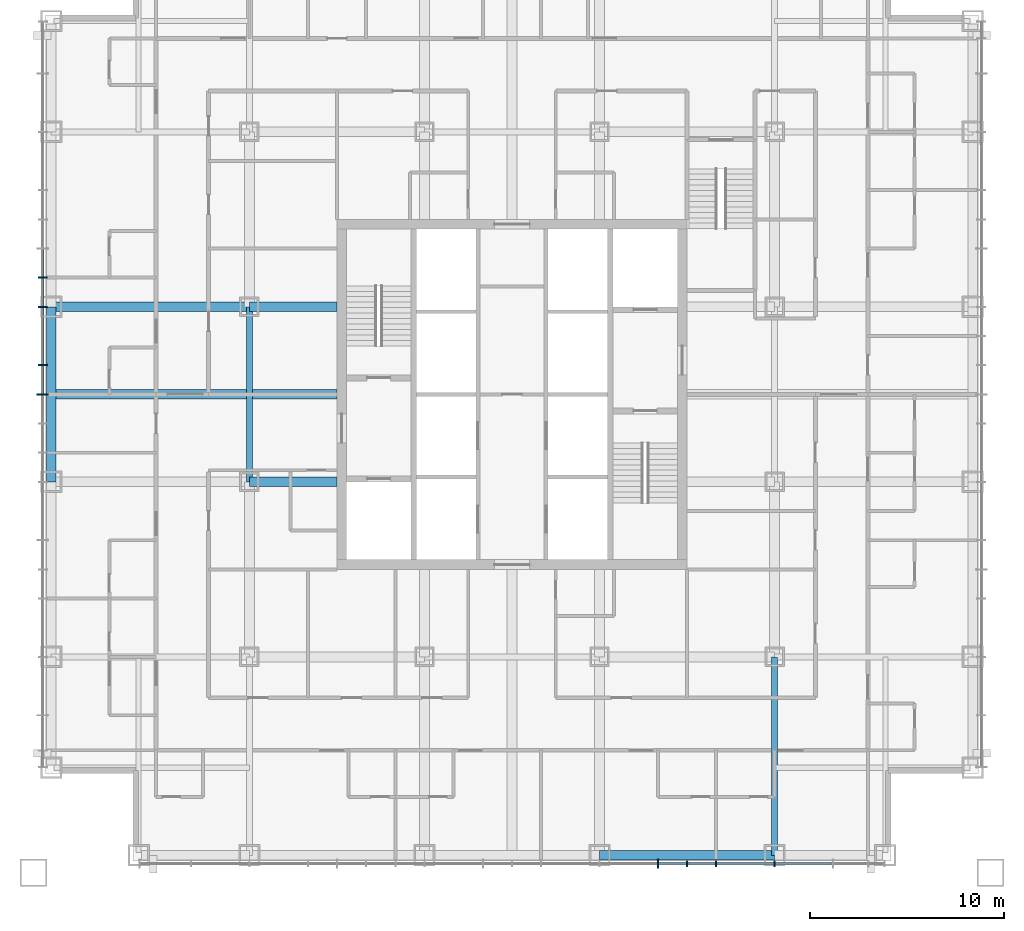
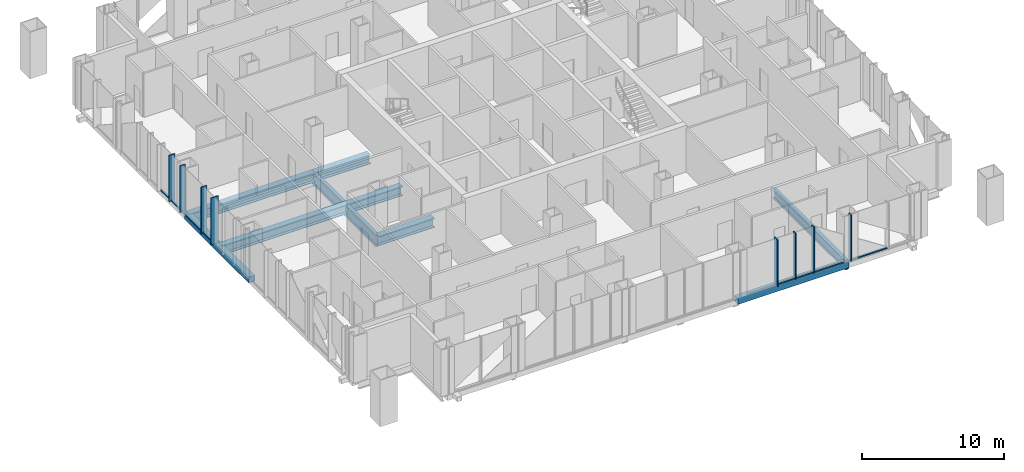
# One storey, part 3 of 16: 16 members, 8 beams, 2 elements without a shape of their own.
"""IFC4 building model written with IfcOpenShell, lengths in metres."""

from ifc_helpers import new_model, si_unit, direction, frame, origin, origin_2d, place, context, subcontext, project, spatial, rectangle, hollow_rectangle, i_section, extrude, material, layer, layer_set, material_profile, profile_set, type_object, element, aggregate, save


model = new_model("IFC4")

# Units and contexts
model_context = context("Model", 3, precision=1e-05, world=origin(), true_north=direction((0.0, 1.0)))
body_context = subcontext(model_context, "Body", "Model", "MODEL_VIEW")
ifc_project = project(units=[si_unit("LENGTHUNIT", "METRE"), si_unit("AREAUNIT", "SQUARE_METRE"), si_unit("VOLUMEUNIT", "CUBIC_METRE"), si_unit("PLANEANGLEUNIT", "RADIAN"), si_unit("MASSUNIT", "GRAM", prefix="KILO")], contexts=[model_context])

# Site, building, storey
site_placement = place(None, origin())
site = spatial("IfcSite", under=ifc_project, at=site_placement, CompositionType="ELEMENT")
building_placement = place(site_placement, origin())
building = spatial("IfcBuilding", under=site, at=building_placement, Name="Malebo Sky Hospital", CompositionType="ELEMENT")
storey_placement = place(building_placement, frame((0.0, 0.0, 144.0)))
storey = spatial("IfcBuildingStorey", under=building, at=storey_placement, Name="L34", CompositionType="ELEMENT", Elevation=144.0)

# Curtain wall, members
ifc_material_1 = material(Name="Anodised aluminium, natural silver", Category="aluminium")
ifc_layer_1 = layer(ifc_material_1, 0.25)
ifc_layer_set_1 = layer_set([ifc_layer_1], Name="WARD CURTAIN WALL EAST AND WEST")
curtain_wall_type_1 = type_object("IfcCurtainWallType", Name="WARD CURTAIN WALL EAST AND WEST", PredefinedType="NOTDEFINED", material=ifc_layer_set_1)
curtain_wall_1_placement = place(storey_placement, origin())
curtain_wall_1 = element("IfcCurtainWall", 1, at=curtain_wall_1_placement, inside=storey, type_object=curtain_wall_type_1, Name="EW curtain wall W", PredefinedType="NOTDEFINED")
ifc_material_profile_1 = material_profile(ifc_material_1, rectangle(XDim=0.14990234375, YDim=0.10009765625, at=origin_2d()), Name="ALUMINIUM TRANSOM 150x100")
ifc_profile_set_1 = profile_set([ifc_material_profile_1], Name="Anodised aluminium, natural silver")
member_type_1 = type_object("IfcMemberType", Name="ALUMINIUM TRANSOM 150x100", PredefinedType="USERDEFINED", material=ifc_profile_set_1)
member_1_placement = place(storey_placement, frame((35.864990234375, 62.03759765625, 0.050048828125), z_axis=(0.0, 1.0, 0.0), x_axis=(-1.0, 0.0, 0.0)))
member_1 = element("IfcMember", 2, at=member_1_placement, type_object=member_type_1, Name="Transom 11", ObjectType="TRANSOM", PredefinedType="USERDEFINED", context=body_context, shape_type="SweptSolid", body=[
    extrude(rectangle(XDim=0.14990234375, YDim=0.10009765625, at=origin_2d()), origin(), (0.0, 0.0, 1.0), 1.4248046875),
])
member_2_placement = place(storey_placement, frame((35.864990234375, 63.53759765625, 0.050048828125), z_axis=(0.0, 1.0, 0.0), x_axis=(-1.0, 0.0, 0.0)))
member_2 = element("IfcMember", 3, at=member_2_placement, type_object=member_type_1, Name="Transom 12", ObjectType="TRANSOM", PredefinedType="USERDEFINED", context=body_context, shape_type="SweptSolid", body=[
    extrude(rectangle(XDim=0.14990234375, YDim=0.10009765625, at=origin_2d()), origin(), (0.0, 0.0, 1.0), 2.9248046875),
])
member_3_placement = place(storey_placement, frame((35.864990234375, 66.53759765625, 0.050048828125), z_axis=(0.0, 1.0, 0.0), x_axis=(-1.0, 0.0, 0.0)))
member_3 = element("IfcMember", 4, at=member_3_placement, type_object=member_type_1, Name="Transom 13", ObjectType="TRANSOM", PredefinedType="USERDEFINED", context=body_context, shape_type="SweptSolid", body=[
    extrude(rectangle(XDim=0.14990234375, YDim=0.10009765625, at=origin_2d()), origin(), (0.0, 0.0, 1.0), 1.4248046875),
])
member_4_placement = place(storey_placement, frame((35.864990234375, 68.03759765625, 0.050048828125), z_axis=(0.0, 1.0, 0.0), x_axis=(-1.0, 0.0, 0.0)))
member_4 = element("IfcMember", 5, at=member_4_placement, type_object=member_type_1, Name="Transom 14", ObjectType="TRANSOM", PredefinedType="USERDEFINED", context=body_context, shape_type="SweptSolid", body=[
    extrude(rectangle(XDim=0.14990234375, YDim=0.10009765625, at=origin_2d()), origin(), (0.0, 0.0, 1.0), 1.4248046875),
])

ifc_layer_2 = layer(ifc_material_1, 0.25)
ifc_layer_set_2 = layer_set([ifc_layer_2], Name="WARD CURTAIN WALL NORTH AND SOUTH")
curtain_wall_type_2 = type_object("IfcCurtainWallType", Name="WARD CURTAIN WALL NORTH AND SOUTH", PredefinedType="NOTDEFINED", material=ifc_layer_set_2)
curtain_wall_2_placement = place(storey_placement, origin())
curtain_wall_2 = element("IfcCurtainWall", 6, at=curtain_wall_2_placement, inside=storey, type_object=curtain_wall_type_2, Name="NS curtain wall S", PredefinedType="NOTDEFINED")
member_5_placement = place(storey_placement, frame((76.46240234375, 37.864990234375, 0.050048828125), z_axis=(-1.0, 0.0, 0.0), x_axis=(0.0, -1.0, 0.0)))
member_5 = element("IfcMember", 7, at=member_5_placement, type_object=member_type_1, Name="Transom 3", ObjectType="TRANSOM", PredefinedType="USERDEFINED", context=body_context, shape_type="SweptSolid", body=[
    extrude(rectangle(XDim=0.14990234375, YDim=0.10009765625, at=origin_2d()), origin(), (0.0, 0.0, 1.0), 2.9248046875),
])
member_6_placement = place(storey_placement, frame((73.46240234375, 37.864990234375, 0.050048828125), z_axis=(-1.0, 0.0, 0.0), x_axis=(0.0, -1.0, 0.0)))
member_6 = element("IfcMember", 8, at=member_6_placement, type_object=member_type_1, Name="Transom 4", ObjectType="TRANSOM", PredefinedType="USERDEFINED", context=body_context, shape_type="SweptSolid", body=[
    extrude(rectangle(XDim=0.14990234375, YDim=0.10009765625, at=origin_2d()), origin(), (0.0, 0.0, 1.0), 2.9248046875),
])
member_7_placement = place(storey_placement, frame((70.46240234375, 37.864990234375, 0.050048828125), z_axis=(-1.0, 0.0, 0.0), x_axis=(0.0, -1.0, 0.0)))
member_7 = element("IfcMember", 9, at=member_7_placement, type_object=member_type_1, Name="Transom 5", ObjectType="TRANSOM", PredefinedType="USERDEFINED", context=body_context, shape_type="SweptSolid", body=[
    extrude(rectangle(XDim=0.14990234375, YDim=0.10009765625, at=origin_2d()), origin(), (0.0, 0.0, 1.0), 1.4248046875),
])
member_8_placement = place(storey_placement, frame((68.96240234375, 37.864990234375, 0.050048828125), z_axis=(-1.0, 0.0, 0.0), x_axis=(0.0, -1.0, 0.0)))
member_8 = element("IfcMember", 10, at=member_8_placement, type_object=member_type_1, Name="Transom 6", ObjectType="TRANSOM", PredefinedType="USERDEFINED", context=body_context, shape_type="SweptSolid", body=[
    extrude(rectangle(XDim=0.14990234375, YDim=0.10009765625, at=origin_2d()), origin(), (0.0, 0.0, 1.0), 1.4248046875),
])
ifc_material_profile_2 = material_profile(ifc_material_1, rectangle(XDim=0.074951171875, YDim=0.300048828125, at=origin_2d()), Name="CW1 ALUMINIUM FIN MULLION 75x300")
ifc_profile_set_2 = profile_set([ifc_material_profile_2], Name="Anodised aluminium, natural silver")
member_type_2 = type_object("IfcMemberType", Name="CW1 ALUMINIUM FIN MULLION 75x300", PredefinedType="MULLION", material=ifc_profile_set_2)
member_9_placement = place(storey_placement, frame((73.5, 37.864990234375, 0.0), z_axis=(0.0, 0.0, 1.0), x_axis=(-1.0, 0.0, 0.0)))
member_9 = element("IfcMember", 11, at=member_9_placement, type_object=member_type_2, Name="Fin mullion 4", PredefinedType="MULLION", context=body_context, shape_type="SweptSolid", body=[
    extrude(rectangle(XDim=0.074951171875, YDim=0.300048828125, at=origin_2d()), origin(), (0.0, 0.0, 1.0), 4.0),
])
member_10_placement = place(storey_placement, frame((70.5, 37.864990234375, 0.0), z_axis=(0.0, 0.0, 1.0), x_axis=(-1.0, 0.0, 0.0)))
member_10 = element("IfcMember", 12, at=member_10_placement, type_object=member_type_2, Name="Fin mullion 5", PredefinedType="MULLION", context=body_context, shape_type="SweptSolid", body=[
    extrude(rectangle(XDim=0.074951171875, YDim=0.300048828125, at=origin_2d()), origin(), (0.0, 0.0, 1.0), 4.0),
])
member_11_placement = place(storey_placement, frame((69.0, 37.864990234375, 0.0), z_axis=(0.0, 0.0, 1.0), x_axis=(-1.0, 0.0, 0.0)))
member_11 = element("IfcMember", 13, at=member_11_placement, type_object=member_type_2, Name="Fin mullion 6", PredefinedType="MULLION", context=body_context, shape_type="SweptSolid", body=[
    extrude(rectangle(XDim=0.074951171875, YDim=0.300048828125, at=origin_2d()), origin(), (0.0, 0.0, 1.0), 4.0),
])
ifc_material_profile_3 = material_profile(ifc_material_1, rectangle(XDim=0.074951171875, YDim=0.449951171875, at=origin_2d()), Name="CW1 ALUMINIUM FIN MULLION 75x450")
ifc_profile_set_3 = profile_set([ifc_material_profile_3], Name="Anodised aluminium, natural silver")
member_type_3 = type_object("IfcMemberType", Name="CW1 ALUMINIUM FIN MULLION 75x450", PredefinedType="MULLION", material=ifc_profile_set_3)
member_12_placement = place(storey_placement, frame((67.5, 37.864990234375, 0.0), z_axis=(0.0, 0.0, 1.0), x_axis=(-1.0, 0.0, 0.0)))
member_12 = element("IfcMember", 14, at=member_12_placement, type_object=member_type_3, Name="Fin mullion 7", PredefinedType="MULLION", context=body_context, shape_type="SweptSolid", body=[
    extrude(rectangle(XDim=0.074951171875, YDim=0.449951171875, at=origin_2d()), origin(), (0.0, 0.0, 1.0), 4.0),
])
aggregate(curtain_wall_2, [member_9, member_10, member_11, member_12, member_5, member_6, member_7, member_8])

# Member
ifc_material_profile_4 = material_profile(ifc_material_1, rectangle(XDim=0.074951171875, YDim=0.449951171875, at=origin_2d()), Name="CW2 ALUMINIUM FIN MULLION 75x450")
ifc_profile_set_4 = profile_set([ifc_material_profile_4], Name="Anodised aluminium, natural silver")
member_type_4 = type_object("IfcMemberType", Name="CW2 ALUMINIUM FIN MULLION 75x450", PredefinedType="MULLION", material=ifc_profile_set_4)
member_13_placement = place(storey_placement, frame((35.864990234375, 63.5, 0.0), z_axis=(0.0, 0.0, 1.0), x_axis=(0.0, 1.0, 0.0)))
member_13 = element("IfcMember", 15, at=member_13_placement, type_object=member_type_4, Name="Fin mullion 12", PredefinedType="MULLION", context=body_context, shape_type="SweptSolid", body=[
    extrude(rectangle(XDim=0.074951171875, YDim=0.449951171875, at=origin_2d()), origin(), (0.0, 0.0, 1.0), 4.0),
])

member_14_placement = place(storey_placement, frame((35.864990234375, 66.5, 0.0), z_axis=(0.0, 0.0, 1.0), x_axis=(0.0, 1.0, 0.0)))
member_14 = element("IfcMember", 16, at=member_14_placement, type_object=member_type_4, Name="Fin mullion 13", PredefinedType="MULLION", context=body_context, shape_type="SweptSolid", body=[
    extrude(rectangle(XDim=0.074951171875, YDim=0.449951171875, at=origin_2d()), origin(), (0.0, 0.0, 1.0), 4.0),
])

member_15_placement = place(storey_placement, frame((35.864990234375, 68.0, 0.0), z_axis=(0.0, 0.0, 1.0), x_axis=(0.0, 1.0, 0.0)))
member_15 = element("IfcMember", 17, at=member_15_placement, type_object=member_type_4, Name="Fin mullion 14", PredefinedType="MULLION", context=body_context, shape_type="SweptSolid", body=[
    extrude(rectangle(XDim=0.074951171875, YDim=0.449951171875, at=origin_2d()), origin(), (0.0, 0.0, 1.0), 4.0),
])

ifc_material_profile_5 = material_profile(ifc_material_1, rectangle(XDim=0.074951171875, YDim=0.60009765625, at=origin_2d()), Name="CW2 ALUMINIUM FIN MULLION 75x600")
ifc_profile_set_5 = profile_set([ifc_material_profile_5], Name="Anodised aluminium, natural silver")
member_type_5 = type_object("IfcMemberType", Name="CW2 ALUMINIUM FIN MULLION 75x600", PredefinedType="MULLION", material=ifc_profile_set_5)
member_16_placement = place(storey_placement, frame((35.864990234375, 62.0, 0.0), z_axis=(0.0, 0.0, 1.0), x_axis=(0.0, 1.0, 0.0)))
member_16 = element("IfcMember", 18, at=member_16_placement, type_object=member_type_5, Name="Fin mullion 11", PredefinedType="MULLION", context=body_context, shape_type="SweptSolid", body=[
    extrude(rectangle(XDim=0.074951171875, YDim=0.60009765625, at=origin_2d()), origin(), (0.0, 0.0, 1.0), 4.0),
])

aggregate(curtain_wall_1, [member_16, member_13, member_14, member_15, member_1, member_2, member_3, member_4])

# Beams
ifc_material_2 = material(Name="Steel S460", Category="steel")
ifc_material_profile_6 = material_profile(ifc_material_2, hollow_rectangle(XDim=0.5, YDim=0.5, WallThickness=0.030029296875, at=origin_2d()), Name="BOX 500x500x30")
ifc_profile_set_6 = profile_set([ifc_material_profile_6], Name="Steel S460")
beam_type_1 = type_object("IfcBeamType", Name="EDGE BEAM BOX 500x500x30", PredefinedType="BEAM", material=ifc_profile_set_6)
for number, where, z_axis, x_axis, name in (
    (19, (36.300048828125, 57.5, -0.5), (0.0, 1.0, 0.0), (-1.0, 0.0, 0.0), "Beam 002 L34"),
    (20, (64.5, 38.300048828125, -0.5), (1.0, 0.0, 0.0), (0.0, 1.0, 0.0), "Beam 037 L34"),
):
    element("IfcBeam", number, at=place(storey_placement, frame(where, z_axis=z_axis, x_axis=x_axis)), inside=storey, type_object=beam_type_1, Name=name, PredefinedType="BEAM", context=body_context, shape_type="SweptSolid", body=[
        extrude(hollow_rectangle(XDim=0.5, YDim=0.5, WallThickness=0.030029296875, at=origin_2d()), origin(), (0.0, 0.0, 1.0), 9.0),
    ])
ifc_material_3 = material(Name="Steel S355", Category="steel")
ifc_material_profile_7 = material_profile(ifc_material_3, i_section(OverallWidth=0.5, OverallDepth=0.800048828125, WebThickness=0.030029296875, FlangeThickness=0.050048828125, at=origin_2d()), Name="PG 800x500x30x50")
ifc_profile_set_7 = profile_set([ifc_material_profile_7], Name="Steel S355")
beam_type_2 = type_object("IfcBeamType", Name="FLOOR BEAM PG 800x500x30x50", PredefinedType="BEAM", material=ifc_profile_set_7)
beam_1_placement = place(storey_placement, frame((46.5, 57.5, -0.64990234375), z_axis=(1.0, 0.0, 0.0), x_axis=(0.0, 1.0, 0.0)))
element("IfcBeam", 21, at=beam_1_placement, inside=storey, type_object=beam_type_2, Name="Beam 047 L34", PredefinedType="BEAM", context=body_context, shape_type="SweptSolid", body=[
    extrude(i_section(OverallWidth=0.5, OverallDepth=0.800048828125, WebThickness=0.030029296875, FlangeThickness=0.050048828125, at=origin_2d()), origin(), (0.0, 0.0, 1.0), 4.5),
])
beam_2_placement = place(storey_placement, frame((36.300048828125, 62.0, -0.64990234375), z_axis=(1.0, 0.0, 0.0), x_axis=(0.0, 1.0, 0.0)))
element("IfcBeam", 22, at=beam_2_placement, inside=storey, type_object=beam_type_2, Name="Beam 050 L34", PredefinedType="BEAM", context=body_context, shape_type="SweptSolid", body=[
    extrude(i_section(OverallWidth=0.5, OverallDepth=0.800048828125, WebThickness=0.030029296875, FlangeThickness=0.050048828125, at=origin_2d()), origin(), (0.0, 0.0, 1.0), 14.699951171875),
])
beam_3_placement = place(storey_placement, frame((36.300048828125, 66.5, -0.64990234375), z_axis=(1.0, 0.0, 0.0), x_axis=(0.0, 1.0, 0.0)))
element("IfcBeam", 23, at=beam_3_placement, inside=storey, type_object=beam_type_2, Name="Beam 052 L34", PredefinedType="BEAM", context=body_context, shape_type="SweptSolid", body=[
    extrude(i_section(OverallWidth=0.5, OverallDepth=0.800048828125, WebThickness=0.030029296875, FlangeThickness=0.050048828125, at=origin_2d()), origin(), (0.0, 0.0, 1.0), 10.199951171875),
])
beam_4_placement = place(storey_placement, frame((46.5, 66.5, -0.64990234375), z_axis=(1.0, 0.0, 0.0), x_axis=(0.0, 1.0, 0.0)))
element("IfcBeam", 24, at=beam_4_placement, inside=storey, type_object=beam_type_2, Name="Beam 053 L34", PredefinedType="BEAM", context=body_context, shape_type="SweptSolid", body=[
    extrude(i_section(OverallWidth=0.5, OverallDepth=0.800048828125, WebThickness=0.030029296875, FlangeThickness=0.050048828125, at=origin_2d()), origin(), (0.0, 0.0, 1.0), 4.5),
])
ifc_material_profile_8 = material_profile(ifc_material_3, i_section(OverallWidth=0.300048828125, OverallDepth=0.800048828125, WebThickness=0.017578125, FlangeThickness=0.032958984375, FilletRadius=0.030029296875, at=origin_2d()), Name="HEB 800")
ifc_profile_set_8 = profile_set([ifc_material_profile_8], Name="Steel S355")
beam_type_3 = type_object("IfcBeamType", Name="FLOOR GIRDER HEB 800", PredefinedType="BEAM", material=ifc_profile_set_8)
beam_5_placement = place(storey_placement, frame((73.5, 38.300048828125, -0.64990234375), z_axis=(0.0, 1.0, 0.0), x_axis=(-1.0, 0.0, 0.0)))
element("IfcBeam", 25, at=beam_5_placement, inside=storey, type_object=beam_type_3, Name="Beam 022 L34", PredefinedType="BEAM", context=body_context, shape_type="SweptSolid", body=[
    extrude(i_section(OverallWidth=0.300048828125, OverallDepth=0.800048828125, WebThickness=0.017578125, FlangeThickness=0.032958984375, FilletRadius=0.030029296875, at=origin_2d()), origin(), (0.0, 0.0, 1.0), 10.199951171875),
])
ifc_material_profile_9 = material_profile(ifc_material_3, i_section(OverallWidth=0.300048828125, OverallDepth=1.0, WebThickness=0.01904296875, FlangeThickness=0.035888671875, FilletRadius=0.030029296875, at=origin_2d()), Name="HEB 1000")
ifc_profile_set_9 = profile_set([ifc_material_profile_9], Name="Steel S355")
beam_type_4 = type_object("IfcBeamType", Name="RING GIRDER HEB 1000", PredefinedType="BEAM", material=ifc_profile_set_9)
beam_6_placement = place(storey_placement, frame((46.5, 57.5, -0.75), z_axis=(0.0, 1.0, 0.0), x_axis=(-1.0, 0.0, 0.0)))
element("IfcBeam", 26, at=beam_6_placement, inside=storey, type_object=beam_type_4, Name="Beam 009 L34", PredefinedType="BEAM", context=body_context, shape_type="SweptSolid", body=[
    extrude(i_section(OverallWidth=0.300048828125, OverallDepth=1.0, WebThickness=0.01904296875, FlangeThickness=0.035888671875, FilletRadius=0.030029296875, at=origin_2d()), origin(), (0.0, 0.0, 1.0), 9.0),
])

save(model, "model.ifc")
